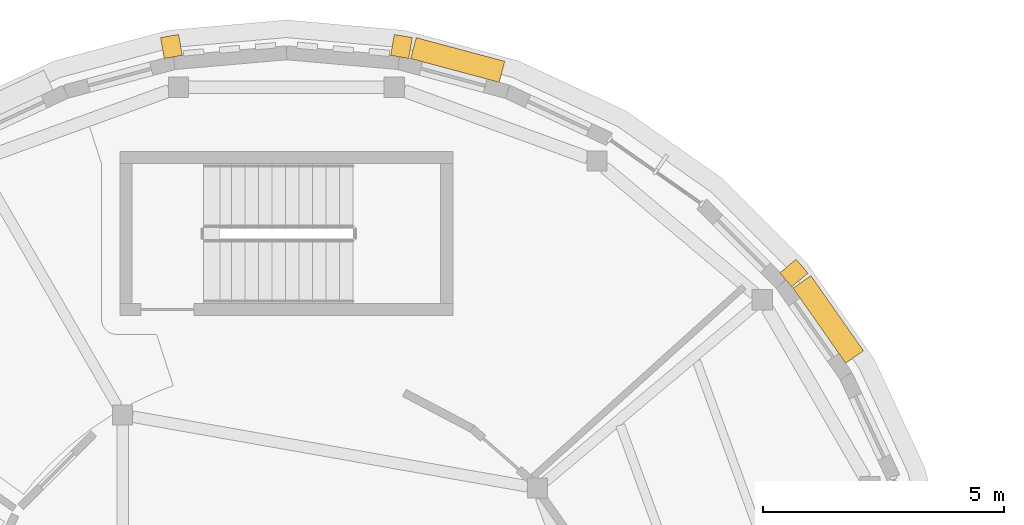
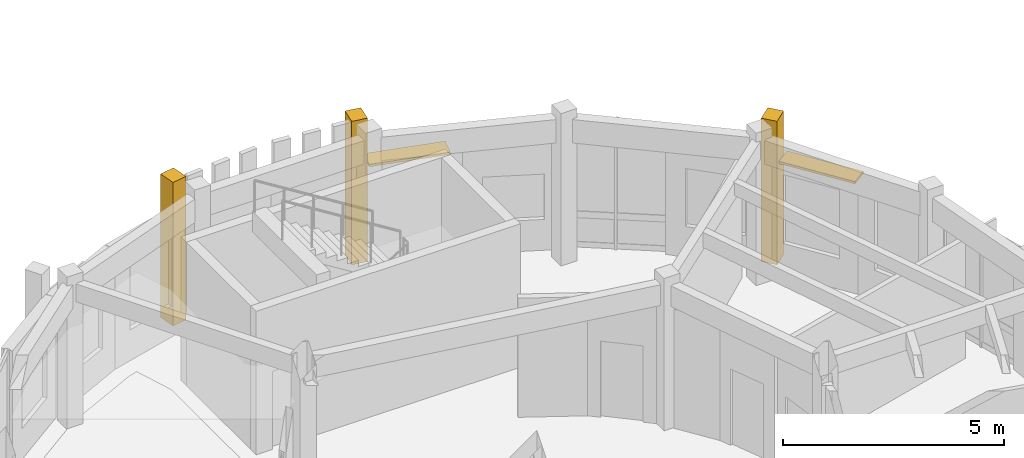
# One storey, part 75 of 80: 3 coverings, 2 shading devices.
"""IFC4 building model written with IfcOpenShell, lengths in metres."""

from ifc_helpers import new_model, si_unit, direction, frame, origin, origin_2d, place, context, subcontext, project, spatial, rectangle, extrude, material, layer, layer_set, type_object, element, save


model = new_model("IFC4")

# Units and contexts
model_context = context("Model", 3, precision=1e-05, world=origin(), true_north=direction((0.0, 1.0)))
body_context = subcontext(model_context, "Body", "Model", "MODEL_VIEW")
ifc_project = project(units=[si_unit("LENGTHUNIT", "METRE"), si_unit("AREAUNIT", "SQUARE_METRE"), si_unit("VOLUMEUNIT", "CUBIC_METRE"), si_unit("PLANEANGLEUNIT", "RADIAN"), si_unit("MASSUNIT", "GRAM", prefix="KILO")], contexts=[model_context])

# Site, building, storey
site_placement = place(None, origin())
site = spatial("IfcSite", under=ifc_project, at=site_placement, CompositionType="ELEMENT")
building_placement = place(site_placement, origin())
building = spatial("IfcBuilding", under=site, at=building_placement, Name="Aldenvaro Health Centre", CompositionType="ELEMENT")
storey_placement = place(building_placement, frame((0.0, 0.0, 4.550048828125)))
storey = spatial("IfcBuildingStorey", under=building, at=storey_placement, Name="L01", CompositionType="ELEMENT", Elevation=4.550048828125)

# Coverings
ifc_material_1 = material(Name="Honed Sonoran Buff Limestone", Category="masonry")
ifc_layer = layer(ifc_material_1, 0.280029296875, Name="Honed Sonoran Buff Limestone", Category="masonry")
ifc_layer_set = layer_set([ifc_layer], Name="Honed Sonoran Buff Limestone")
covering_type = type_object("IfcCoveringType", Name="COV-CRN-STN", PredefinedType="CLADDING", material=ifc_layer_set)
for number, where, z_axis, x_axis, name in (
    (1, (16.114013671875, 113.031005859375, -0.00048828125), (0.0, 0.0, 1.0), (-0.173661868999, 0.984805338763, 0.0), "D4 L01 Engaged Classical Limestone Pilaster 14"),
    (2, (20.885986328125, 113.031005859375, -0.00048828125), (0.0, 0.0, 1.0), (0.173661868999, 0.984805338763, 0.0), "D4 L01 Engaged Classical Limestone Pilaster 15"),
    (3, (29.02587890625, 108.33203125, -0.00048828125), (0.0, 0.0, 1.0), (0.766057587935, 0.642771943979, 0.0), "D4 L01 Engaged Classical Limestone Pilaster 17"),
):
    element("IfcCovering", number, at=place(storey_placement, frame(where, z_axis=z_axis, x_axis=x_axis)), inside=storey, type_object=covering_type, Name=name, PredefinedType="CLADDING", context=body_context, shape_type="SweptSolid", body=[
        extrude(rectangle(XDim=0.43994140625, YDim=0.3798828125, at=origin_2d()), origin(), (0.0, 0.0, 1.0), 3.955078125),
    ])

# Shading devices
ifc_material_2 = material(Name="Douglas Fir Exterior Glulam GL28h", Category="wood")
shading_device_type = type_object("IfcShadingDeviceType", Name="SHD-LVR-190", PredefinedType="JALOUSIE", material=ifc_material_2)
for number, where, z_axis, x_axis, name in (
    (4, (22.051025390625, 112.7509765625, 2.597412109375), (0.0, 0.0, 1.0), (0.965978620089, -0.258621935517, 0.0), "D4 L01 horizontal solar louvre 29"),
    (5, (29.738037109375, 107.368896484375, 2.79736328125), (0.0, 0.0, 1.0), (0.573720929857, -0.819050849853, 0.0), "D4 L01 horizontal solar louvre 33"),
):
    element("IfcShadingDevice", number, at=place(storey_placement, frame(where, z_axis=z_axis, x_axis=x_axis)), inside=storey, type_object=shading_device_type, Name=name, PredefinedType="JALOUSIE", context=body_context, shape_type="SweptSolid", body=[
        extrude(rectangle(XDim=1.89990234375, YDim=0.449951171875, at=origin_2d()), origin(), (0.0, 0.0, 1.0), 0.06494140625),
    ])

save(model, "model.ifc")
